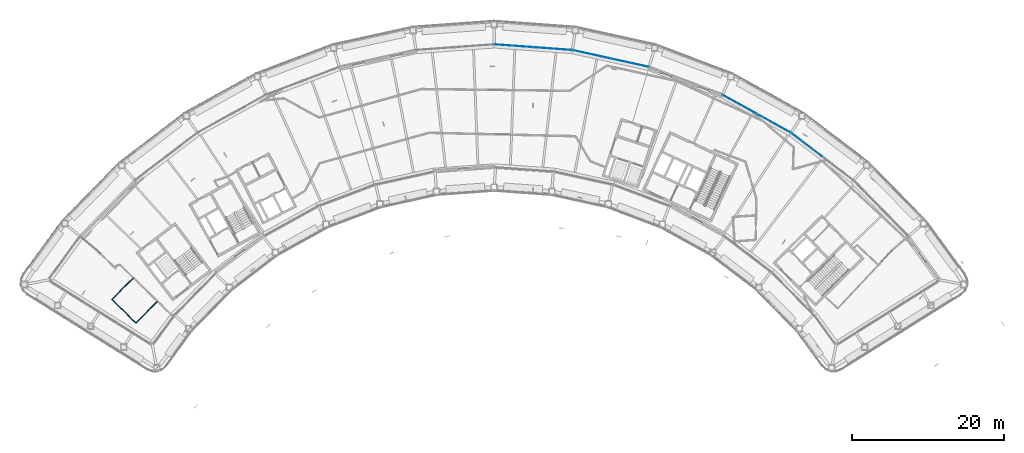
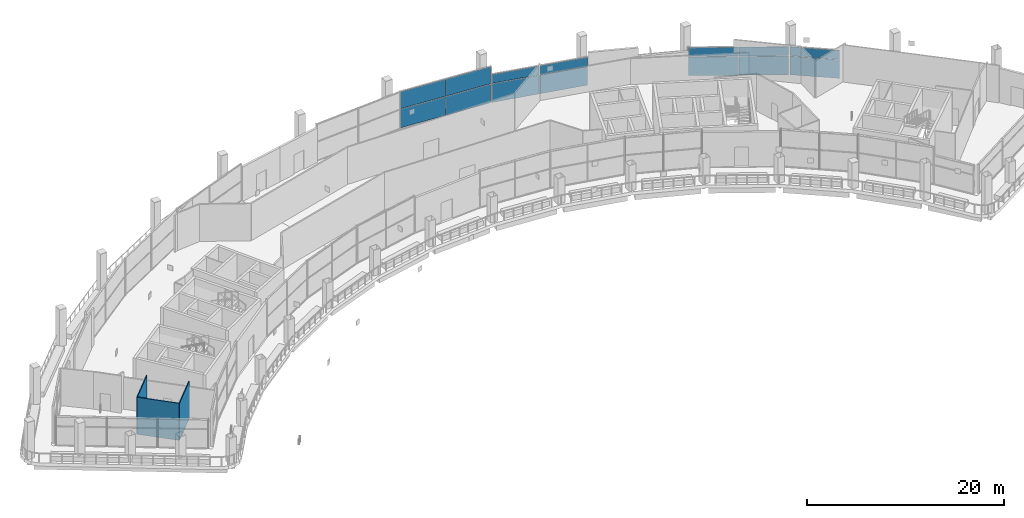
# One storey, part 15 of 29: 14 plates, 3 walls, 4 elements without a shape of their own.
"""IFC4 building model written with IfcOpenShell, lengths in metres."""

from ifc_helpers import new_model, si_unit, direction, frame, frame_2d, origin, origin_2d, place, context, subcontext, project, spatial, rectangle, extrude, material, layer, layer_set, type_object, element, aggregate, save


model = new_model("IFC4")

# Units and contexts
model_context = context("Model", 3, precision=1e-05, world=origin(), true_north=direction((0.0, 1.0)))
body_context = subcontext(model_context, "Body", "Model", "MODEL_VIEW")
ifc_project = project(units=[si_unit("LENGTHUNIT", "METRE"), si_unit("AREAUNIT", "SQUARE_METRE"), si_unit("VOLUMEUNIT", "CUBIC_METRE"), si_unit("PLANEANGLEUNIT", "RADIAN"), si_unit("MASSUNIT", "GRAM", prefix="KILO")], contexts=[model_context])

# Site, building, storey
site_placement = place(None, origin())
site = spatial("IfcSite", under=ifc_project, at=site_placement, CompositionType="ELEMENT")
building_placement = place(site_placement, origin())
building = spatial("IfcBuilding", under=site, at=building_placement, Name="Tuul Gate Civic Tower", CompositionType="ELEMENT")
storey_placement = place(building_placement, frame((0.0, 0.0, 238.89990234375)))
storey = spatial("IfcBuildingStorey", under=building, at=storey_placement, Name="Sky garden level 2", CompositionType="ELEMENT", Elevation=238.89990234375)

# Curtain wall, plates
ifc_material_1 = material(Name="Aluminium", Category="aluminium")
ifc_layer_1 = layer(ifc_material_1, 0.199951171875)
ifc_layer_set_1 = layer_set([ifc_layer_1], Name="Aluminium")
curtain_wall_type_1 = type_object("IfcCurtainWallType", Name="Curtain wall CW3", PredefinedType="NOTDEFINED", material=ifc_layer_set_1)
curtain_wall_1_placement = place(storey_placement, origin())
curtain_wall_1 = element("IfcCurtainWall", 1, at=curtain_wall_1_placement, inside=storey, type_object=curtain_wall_type_1, Name="Curtain wall CW3", PredefinedType="NOTDEFINED")
ifc_material_2 = material(Name="Insulated glass", Category="glass")
ifc_layer_2 = layer(ifc_material_2, 0.031982421875)
ifc_layer_set_2 = layer_set([ifc_layer_2], Name="Insulated glass")
plate_type_1 = type_object("IfcPlateType", Name="CW3 panel", PredefinedType="CURTAIN_PANEL", material=ifc_layer_set_2)
plate_1_placement = place(storey_placement, frame((13.6298828125, 15.4013671875, 0.06005859375), z_axis=(0.0, 0.0, 1.0), x_axis=(-0.997380737263, 0.072330249118, 0.0)))
plate_1 = element("IfcPlate", 2, at=plate_1_placement, type_object=plate_type_1, Name="Panel", PredefinedType="CURTAIN_PANEL", context=body_context, shape_type="SweptSolid", body=[
    extrude(rectangle(XDim=5.06005859375, YDim=0.031982421875, at=origin_2d()), origin(), (0.0, 0.0, 1.0), 2.31005859375),
])
plate_2_placement = place(storey_placement, frame((13.6298828125, 15.4013671875, 2.43017578125), z_axis=(0.0, 0.0, 1.0), x_axis=(-0.997380737263, 0.072330249118, 0.0)))
plate_2 = element("IfcPlate", 3, at=plate_2_placement, type_object=plate_type_1, Name="Panel", PredefinedType="CURTAIN_PANEL", context=body_context, shape_type="SweptSolid", body=[
    extrude(rectangle(XDim=5.06005859375, YDim=0.031982421875, at=origin_2d()), origin(), (0.0, 0.0, 1.0), 2.110107421875),
])
plate_3_placement = place(storey_placement, frame((8.523193359375, 15.771728515625, 0.06005859375), z_axis=(0.0, 0.0, 1.0), x_axis=(-0.997380737263, 0.072330249118, 0.0)))
plate_3 = element("IfcPlate", 4, at=plate_3_placement, type_object=plate_type_1, Name="Panel", PredefinedType="CURTAIN_PANEL", context=body_context, shape_type="SweptSolid", body=[
    extrude(rectangle(XDim=5.06005859375, YDim=0.031982421875, at=origin_2d()), origin(), (0.0, 0.0, 1.0), 2.31005859375),
])
plate_4_placement = place(storey_placement, frame((8.523193359375, 15.771728515625, 2.43017578125), z_axis=(0.0, 0.0, 1.0), x_axis=(-0.997380737263, 0.072330249118, 0.0)))
plate_4 = element("IfcPlate", 5, at=plate_4_placement, type_object=plate_type_1, Name="Panel", PredefinedType="CURTAIN_PANEL", context=body_context, shape_type="SweptSolid", body=[
    extrude(rectangle(XDim=5.06005859375, YDim=0.031982421875, at=origin_2d()), origin(), (0.0, 0.0, 1.0), 2.110107421875),
])
aggregate(curtain_wall_1, [plate_1, plate_2, plate_3, plate_4])

ifc_material_3 = material(Name="Aluminium", Category="aluminium")
ifc_layer_3 = layer(ifc_material_3, 0.199951171875)
ifc_layer_set_3 = layer_set([ifc_layer_3], Name="Aluminium")
curtain_wall_type_2 = type_object("IfcCurtainWallType", Name="Curtain wall CW3B", PredefinedType="NOTDEFINED", material=ifc_layer_set_3)
curtain_wall_2_placement = place(storey_placement, origin())
curtain_wall_2 = element("IfcCurtainWall", 6, at=curtain_wall_2_placement, inside=storey, type_object=curtain_wall_type_2, Name="Curtain wall CW3B", PredefinedType="NOTDEFINED")
ifc_material_4 = material(Name="Insulated glass", Category="glass")
ifc_layer_4 = layer(ifc_material_4, 0.031982421875)
ifc_layer_set_4 = layer_set([ifc_layer_4], Name="Insulated glass")
plate_type_2 = type_object("IfcPlateType", Name="CW3B panel", PredefinedType="CURTAIN_PANEL", material=ifc_layer_set_4)
plate_5_placement = place(storey_placement, frame((46.977783203125, 2.791015625, 0.06005859375), z_axis=(0.0, 0.0, 1.0), x_axis=(-0.79560997621, 0.605809182627, 0.0)))
plate_5 = element("IfcPlate", 7, at=plate_5_placement, type_object=plate_type_2, Name="Panel", PredefinedType="CURTAIN_PANEL", context=body_context, shape_type="SweptSolid", body=[
    extrude(rectangle(XDim=5.06005859375, YDim=0.031982421875, at=origin_2d()), origin(), (0.0, 0.0, 1.0), 2.31005859375),
])
plate_6_placement = place(storey_placement, frame((46.977783203125, 2.791015625, 2.43017578125), z_axis=(0.0, 0.0, 1.0), x_axis=(-0.79560997621, 0.605809182627, 0.0)))
plate_6 = element("IfcPlate", 8, at=plate_6_placement, type_object=plate_type_2, Name="Panel", PredefinedType="CURTAIN_PANEL", context=body_context, shape_type="SweptSolid", body=[
    extrude(rectangle(XDim=5.06005859375, YDim=0.031982421875, at=origin_2d()), origin(), (0.0, 0.0, 1.0), 1.10498046875),
])
aggregate(curtain_wall_2, [plate_5, plate_6])

curtain_wall_3_placement = place(storey_placement, origin())
curtain_wall_3 = element("IfcCurtainWall", 9, at=curtain_wall_3_placement, inside=storey, type_object=curtain_wall_type_2, Name="Curtain wall CW3B", PredefinedType="NOTDEFINED")
plate_7_placement = place(storey_placement, frame((42.651611328125, 5.61572265625, 0.06005859375), z_axis=(0.0, 0.0, 1.0), x_axis=(-0.874610249079, 0.484826682646, 0.0)))
plate_7 = element("IfcPlate", 10, at=plate_7_placement, type_object=plate_type_2, Name="Panel", PredefinedType="CURTAIN_PANEL", context=body_context, shape_type="SweptSolid", body=[
    extrude(rectangle(XDim=5.060302734375, YDim=0.031982421875, at=origin_2d()), origin(), (0.0, 0.0, 1.0), 2.31005859375),
])
plate_8_placement = place(storey_placement, frame((42.651611328125, 5.61572265625, 2.43017578125), z_axis=(0.0, 0.0, 1.0), x_axis=(-0.874610249079, 0.484826682646, 0.0)))
plate_8 = element("IfcPlate", 11, at=plate_8_placement, type_object=plate_type_2, Name="Panel", PredefinedType="CURTAIN_PANEL", context=body_context, shape_type="SweptSolid", body=[
    extrude(rectangle(XDim=5.060302734375, YDim=0.031982421875, at=origin_2d()), origin(), (0.0, 0.0, 1.0), 1.10498046875),
])
plate_9_placement = place(storey_placement, frame((38.17333984375, 8.09814453125, 0.06005859375), z_axis=(0.0, 0.0, 1.0), x_axis=(-0.874610249079, 0.484826682646, 0.0)))
plate_9 = element("IfcPlate", 12, at=plate_9_placement, type_object=plate_type_2, Name="Panel", PredefinedType="CURTAIN_PANEL", context=body_context, shape_type="SweptSolid", body=[
    extrude(rectangle(XDim=5.060302734375, YDim=0.031982421875, at=origin_2d()), origin(), (0.0, 0.0, 1.0), 2.31005859375),
])
plate_10_placement = place(storey_placement, frame((38.17333984375, 8.09814453125, 2.43017578125), z_axis=(0.0, 0.0, 1.0), x_axis=(-0.874610249079, 0.484826682646, 0.0)))
plate_10 = element("IfcPlate", 13, at=plate_10_placement, type_object=plate_type_2, Name="Panel", PredefinedType="CURTAIN_PANEL", context=body_context, shape_type="SweptSolid", body=[
    extrude(rectangle(XDim=5.060302734375, YDim=0.031982421875, at=origin_2d()), origin(), (0.0, 0.0, 1.0), 1.10498046875),
])
aggregate(curtain_wall_3, [plate_7, plate_8, plate_9, plate_10])

curtain_wall_4_placement = place(storey_placement, origin())
curtain_wall_4 = element("IfcCurtainWall", 14, at=curtain_wall_4_placement, inside=storey, type_object=curtain_wall_type_2, Name="Curtain wall CW3B", PredefinedType="NOTDEFINED")
plate_11_placement = place(storey_placement, frame((23.743408203125, 13.554443359375, 0.06005859375), z_axis=(0.0, 0.0, 1.0), x_axis=(-0.976566995773, 0.21521362124, 0.0)))
plate_11 = element("IfcPlate", 15, at=plate_11_placement, type_object=plate_type_2, Name="Panel", PredefinedType="CURTAIN_PANEL", context=body_context, shape_type="SweptSolid", body=[
    extrude(rectangle(XDim=5.060791015625, YDim=0.031982421875, at=origin_2d()), origin(), (0.0, 0.0, 1.0), 2.31005859375),
])
plate_12_placement = place(storey_placement, frame((23.743408203125, 13.554443359375, 2.43017578125), z_axis=(0.0, 0.0, 1.0), x_axis=(-0.976566995773, 0.21521362124, 0.0)))
plate_12 = element("IfcPlate", 16, at=plate_12_placement, type_object=plate_type_2, Name="Panel", PredefinedType="CURTAIN_PANEL", context=body_context, shape_type="SweptSolid", body=[
    extrude(rectangle(XDim=5.060791015625, YDim=0.031982421875, at=origin_2d()), origin(), (0.0, 0.0, 1.0), 1.10498046875),
])
plate_13_placement = place(storey_placement, frame((18.74267578125, 14.656494140625, 0.06005859375), z_axis=(0.0, 0.0, 1.0), x_axis=(-0.976566995773, 0.21521362124, 0.0)))
plate_13 = element("IfcPlate", 17, at=plate_13_placement, type_object=plate_type_2, Name="Panel", PredefinedType="CURTAIN_PANEL", context=body_context, shape_type="SweptSolid", body=[
    extrude(rectangle(XDim=5.060791015625, YDim=0.031982421875, at=origin_2d()), origin(), (0.0, 0.0, 1.0), 2.31005859375),
])
plate_14_placement = place(storey_placement, frame((18.74267578125, 14.656494140625, 2.43017578125), z_axis=(0.0, 0.0, 1.0), x_axis=(-0.976566995773, 0.21521362124, 0.0)))
plate_14 = element("IfcPlate", 18, at=plate_14_placement, type_object=plate_type_2, Name="Panel", PredefinedType="CURTAIN_PANEL", context=body_context, shape_type="SweptSolid", body=[
    extrude(rectangle(XDim=5.060791015625, YDim=0.031982421875, at=origin_2d()), origin(), (0.0, 0.0, 1.0), 1.10498046875),
])
aggregate(curtain_wall_4, [plate_11, plate_12, plate_13, plate_14])

# Walls
ifc_material_5 = material(Name="Gypsum board partition")
ifc_layer_5 = layer(ifc_material_5, 0.10009765625)
ifc_layer_set_5 = layer_set([ifc_layer_5], Name="Gypsum board partition")
wall_type = type_object("IfcWallType", Name="Partition P100", PredefinedType="PARTITIONING", material=ifc_layer_set_5)
wall_1_placement = place(storey_placement, frame((-41.072021484375, -20.6376953125, 0.0), z_axis=(0.0, 0.0, 1.0), x_axis=(0.697792654392, 0.716299805582, 0.0)))
element("IfcWall", 19, at=wall_1_placement, inside=storey, type_object=wall_type, Name="p032", PredefinedType="PARTITIONING", context=body_context, shape_type="SweptSolid", body=[
    extrude(rectangle(XDim=4.01025390625, YDim=0.10009765625, at=frame_2d((2.005126953125, 0.0))), origin(), (0.0, 0.0, 1.0), 4.60009765625),
])
wall_2_placement = place(storey_placement, frame((-44.238037109375, -17.55322265625, 0.0), z_axis=(0.0, 0.0, 1.0), x_axis=(0.716270644267, -0.697822587884, 0.0)))
element("IfcWall", 20, at=wall_2_placement, inside=storey, type_object=wall_type, Name="p033", PredefinedType="PARTITIONING", context=body_context, shape_type="SweptSolid", body=[
    extrude(rectangle(XDim=4.420166015625, YDim=0.10009765625, at=frame_2d((2.2099609375, 0.0))), origin(), (0.0, 0.0, 1.0), 4.60009765625),
])
wall_3_placement = place(storey_placement, frame((-44.238037109375, -17.55322265625, 0.0), z_axis=(0.0, 0.0, 1.0), x_axis=(0.697791847272, 0.716300591847, 0.0)))
element("IfcWall", 21, at=wall_3_placement, inside=storey, type_object=wall_type, Name="p034", PredefinedType="PARTITIONING", context=body_context, shape_type="SweptSolid", body=[
    extrude(rectangle(XDim=4.010009765625, YDim=0.10009765625, at=frame_2d((2.0048828125, 0.0))), origin(), (0.0, 0.0, 1.0), 4.60009765625),
])

save(model, "model.ifc")
